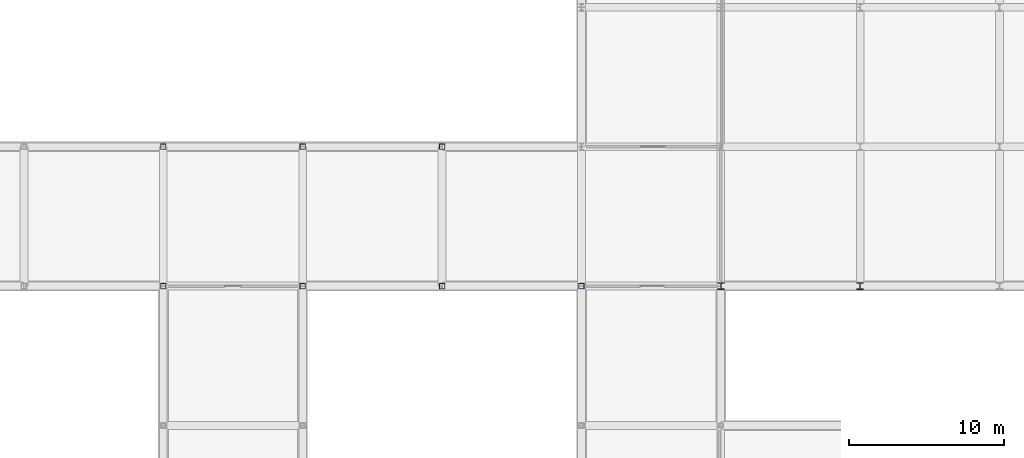
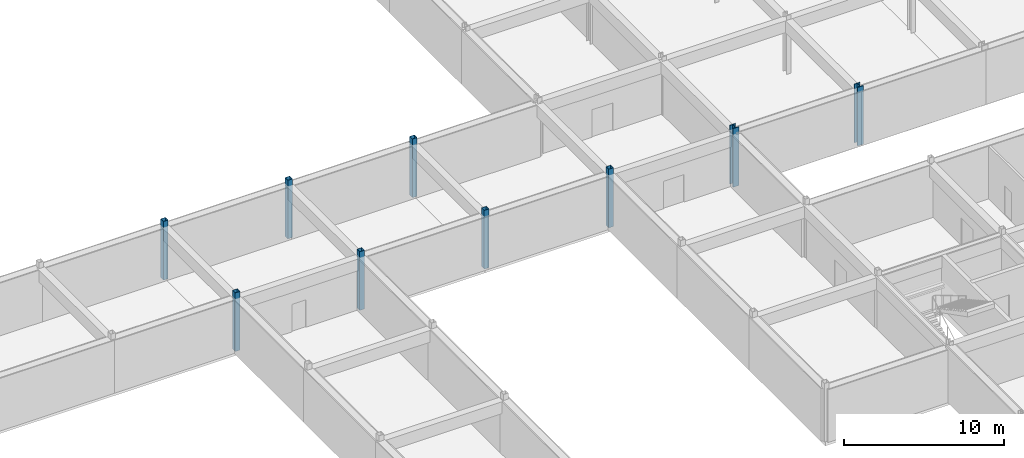
# One storey, part 9 of 35: 9 columns.
"""IFC4 building model written with IfcOpenShell, lengths in metres."""

from ifc_helpers import new_model, si_unit, direction, frame, origin, origin_2d, place, context, subcontext, project, spatial, hollow_rectangle, i_section, extrude, material, material_profile, profile_set, type_object, element, save


model = new_model("IFC4")

# Units and contexts
model_context = context("Model", 3, precision=1e-05, world=origin(), true_north=direction((0.0, 1.0)))
body_context = subcontext(model_context, "Body", "Model", "MODEL_VIEW")
ifc_project = project(units=[si_unit("LENGTHUNIT", "METRE"), si_unit("AREAUNIT", "SQUARE_METRE"), si_unit("VOLUMEUNIT", "CUBIC_METRE"), si_unit("PLANEANGLEUNIT", "RADIAN"), si_unit("MASSUNIT", "GRAM", prefix="KILO")], contexts=[model_context])

# Site, building, storey
site_placement = place(None, origin())
site = spatial("IfcSite", under=ifc_project, at=site_placement, CompositionType="ELEMENT")
building_placement = place(site_placement, origin())
building = spatial("IfcBuilding", under=site, at=building_placement, Name="Palais des Congres Ocreval", CompositionType="ELEMENT")
storey_placement = place(building_placement, frame((0.0, 0.0, -4.47998046875)))
storey = spatial("IfcBuildingStorey", under=building, at=storey_placement, Name="B1", CompositionType="ELEMENT", Elevation=-4.47998046875)

# Columns
ifc_material_1 = material(Name="Steel S460", Category="steel")
ifc_material_profile_1 = material_profile(ifc_material_1, i_section(OverallWidth=0.41796875, OverallDepth=0.455078125, WebThickness=0.031982421875, FlangeThickness=0.055908203125, at=origin_2d()), Name="HD 400x551")
ifc_profile_set_1 = profile_set([ifc_material_profile_1], Name="Steel S460")
column_type_1 = type_object("IfcColumnType", Name="Column HD 400x551 Steel S460", PredefinedType="COLUMN", material=ifc_profile_set_1)
for number, where, z_axis, x_axis, name in (
    (1, (108.0, 72.0, 0.0), (0.0, 0.0, 1.0), (1.0, 0.0, 0.0), "Column C01 B1"),
    (2, (117.0, 72.0, 0.0), (0.0, 0.0, 1.0), (1.0, 0.0, 0.0), "Column C01 B1"),
):
    element("IfcColumn", number, at=place(storey_placement, frame(where, z_axis=z_axis, x_axis=x_axis)), inside=storey, type_object=column_type_1, Name=name, PredefinedType="COLUMN", context=body_context, shape_type="SweptSolid", body=[
        extrude(i_section(OverallWidth=0.41796875, OverallDepth=0.455078125, WebThickness=0.031982421875, FlangeThickness=0.055908203125, at=origin_2d()), origin(), (0.0, 0.0, 1.0), 4.47998046875),
    ])
ifc_material_2 = material(Name="Steel S355", Category="steel")
ifc_material_profile_2 = material_profile(ifc_material_2, hollow_rectangle(XDim=0.35009765625, YDim=0.35009765625, WallThickness=0.01611328125, at=origin_2d()), Name="RHS 350x350x16")
ifc_profile_set_2 = profile_set([ifc_material_profile_2], Name="Steel S355")
column_type_2 = type_object("IfcColumnType", Name="Column RHS 350x350x16 Steel S355", PredefinedType="COLUMN", material=ifc_profile_set_2)
for number, where, z_axis, x_axis, name in (
    (3, (72.0, 72.0, 0.0), (0.0, 0.0, 1.0), (1.0, 0.0, 0.0), "Column C18 B1"),
    (4, (72.0, 81.0, 0.0), (0.0, 0.0, 1.0), (1.0, 0.0, 0.0), "Column C18 B1"),
    (5, (81.0, 72.0, 0.0), (0.0, 0.0, 1.0), (1.0, 0.0, 0.0), "Column C18 B1"),
    (6, (81.0, 81.0, 0.0), (0.0, 0.0, 1.0), (1.0, 0.0, 0.0), "Column C18 B1"),
    (7, (90.0, 72.0, 0.0), (0.0, 0.0, 1.0), (1.0, 0.0, 0.0), "Column C18 B1"),
    (8, (90.0, 81.0, 0.0), (0.0, 0.0, 1.0), (1.0, 0.0, 0.0), "Column C18 B1"),
    (9, (99.0, 72.0, 0.0), (0.0, 0.0, 1.0), (1.0, 0.0, 0.0), "Column C18 B1"),
):
    element("IfcColumn", number, at=place(storey_placement, frame(where, z_axis=z_axis, x_axis=x_axis)), inside=storey, type_object=column_type_2, Name=name, PredefinedType="COLUMN", context=body_context, shape_type="SweptSolid", body=[
        extrude(hollow_rectangle(XDim=0.35009765625, YDim=0.35009765625, WallThickness=0.01611328125, at=origin_2d()), origin(), (0.0, 0.0, 1.0), 4.47998046875),
    ])

save(model, "model.ifc")
